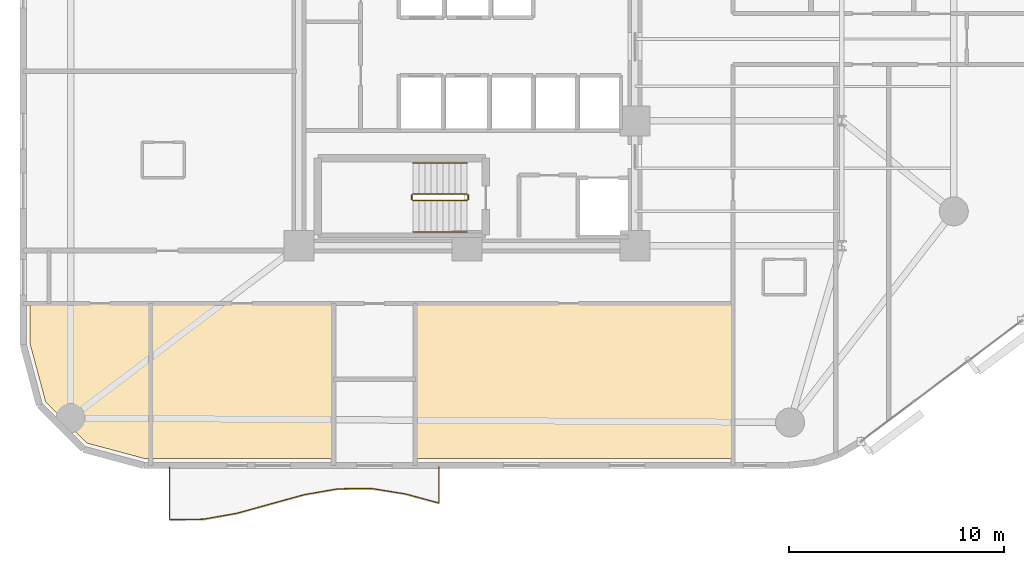
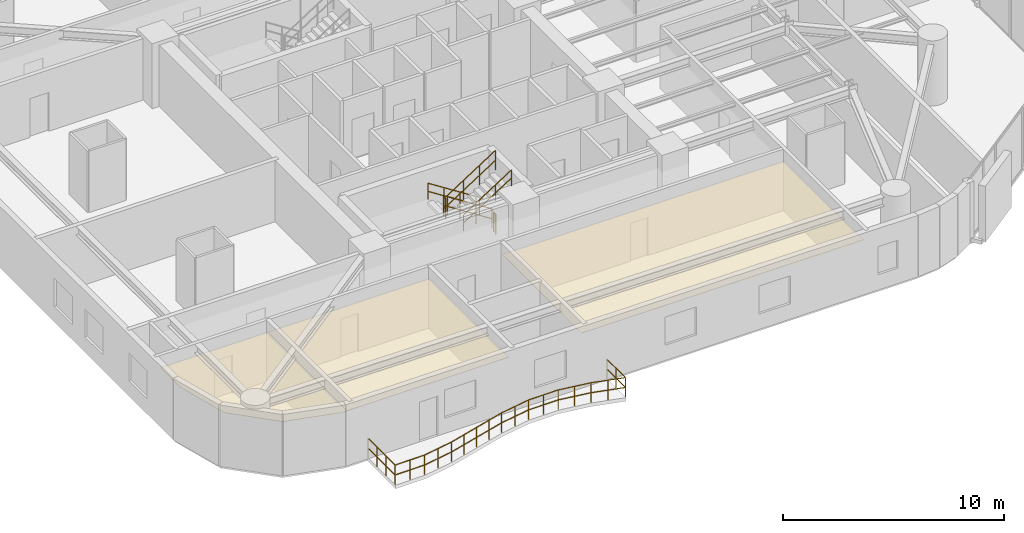
# One storey, part 14 of 16: 7 railings, 3 coverings.
"""IFC4 building model written with IfcOpenShell, lengths in metres."""

import ifcopenshell
import ifcopenshell.guid

model = None  # the IFC model being written
_history = None  # IfcOwnerHistory: only IFC2X3 demands one
_inside = {}  # id of a spatial element -> (the spatial element, [elements in it])
_under = {}  # id of a project, library or spatial element -> (it, [spatial elements below it])
_declared = {}  # id of a project -> (the project, [libraries it declares])
_typed = {}  # id of a type object -> (the type object, [elements of that type])
_made_of = {}  # id of a material, layer set ... -> (it, [elements and type objects made of it])


def new_model(schema):
    """Start an empty IFC model of exactly this schema.

    Asked for "IFC4X3", IfcOpenShell would pick the latest addendum, in which some entities
    have other attributes; the version numbers below select the first issue.
    IFC2X3 requires an IfcOwnerHistory on every rooted entity: one is made here for all.
    """
    global model, _history
    if schema == "IFC4X3":
        model = ifcopenshell.file(schema_version=(4, 3, 0, 0))
    else:
        model = ifcopenshell.file(schema=schema)
    _inside.clear()
    _under.clear()
    _declared.clear()
    _typed.clear()
    _made_of.clear()
    _history = None
    if model.schema == "IFC2X3":
        org = make("IfcOrganization", Name="unknown")
        user = make(
            "IfcPersonAndOrganization",
            ThePerson=make("IfcPerson", FamilyName="unknown"),
            TheOrganization=org,
        )
        app = make(
            "IfcApplication",
            ApplicationDeveloper=org,
            Version="unknown",
            ApplicationFullName="unknown",
            ApplicationIdentifier="unknown",
        )
        _history = make(
            "IfcOwnerHistory",
            OwningUser=user,
            OwningApplication=app,
            ChangeAction="ADDED",
            CreationDate=0,
        )
    return model


def make(cls, **values):
    """One entity of the class cls with the attributes given. An attribute that is None is left unset."""
    return model.create_entity(
        cls, **{name: value for name, value in values.items() if value is not None}
    )


def rooted(cls, **values):
    """An entity with a GlobalId (a new one), such as an element, a storey or a relation."""
    return make(cls, GlobalId=ifcopenshell.guid.new(), OwnerHistory=_history, **values)


def si_unit(unit_type, name, prefix=None):
    """IfcSIUnit, for example si_unit("LENGTHUNIT", "METRE", prefix="MILLI")."""
    return make("IfcSIUnit", UnitType=unit_type, Prefix=prefix, Name=name)


def assignment(units):
    """IfcUnitAssignment: the units of a project."""
    return None if units is None else make("IfcUnitAssignment", Units=units)


def point(xyz):
    """IfcCartesianPoint."""
    return None if xyz is None else make("IfcCartesianPoint", Coordinates=xyz)


def direction(xyz):
    """IfcDirection."""
    return None if xyz is None else make("IfcDirection", DirectionRatios=xyz)


def frame(location, z_axis=None, x_axis=None):
    """IfcAxis2Placement3D, a coordinate frame: its origin and axes. An axis left out is left unset."""
    return make(
        "IfcAxis2Placement3D",
        Location=point(location),
        Axis=direction(z_axis),
        RefDirection=direction(x_axis),
    )


def frame_2d(location, x_axis=None):
    """IfcAxis2Placement2D, a coordinate frame in the plane: its origin and x axis."""
    return make(
        "IfcAxis2Placement2D", Location=point(location), RefDirection=direction(x_axis)
    )


def origin():
    """The frame at (0, 0, 0) with its axes left unset."""
    return frame((0.0, 0.0, 0.0))


def origin_2d():
    """The frame at (0, 0) in the plane with its x axis left unset."""
    return frame_2d((0.0, 0.0))


def place(relative_to, where):
    """IfcLocalPlacement: puts the frame where relative to a parent placement (None: the world)."""
    return make(
        "IfcLocalPlacement", PlacementRelTo=relative_to, RelativePlacement=where
    )


def context(
    kind, dimensions, precision=None, world=None, true_north=None, identifier=None
):
    """IfcGeometricRepresentationContext, for example the 3D "Model" context."""
    return make(
        "IfcGeometricRepresentationContext",
        ContextIdentifier=identifier,
        ContextType=kind,
        CoordinateSpaceDimension=dimensions,
        Precision=precision,
        WorldCoordinateSystem=world,
        TrueNorth=true_north,
    )


def subcontext(parent, identifier, kind, view, scale=None):
    """IfcGeometricRepresentationSubContext, for example "Body" below "Model"."""
    return make(
        "IfcGeometricRepresentationSubContext",
        ContextIdentifier=identifier,
        ContextType=kind,
        ParentContext=parent,
        TargetScale=scale,
        TargetView=view,
    )


def project(units=None, contexts=None):
    """IfcProject with its units and contexts."""
    return rooted(
        "IfcProject",
        Name="project",
        RepresentationContexts=contexts,
        UnitsInContext=assignment(units),
    )


def spatial(cls, under=None, at=None, **own):
    """A site, building, storey or space (cls), placed at a placement, below another one or the project."""
    s = rooted(cls, ObjectPlacement=at, **own)
    if under is not None:
        _under.setdefault(under.id(), (under, []))[1].append(s)
    return s


def polyline(points):
    """IfcPolyline through the points."""
    return make("IfcPolyline", Points=[point(p) for p in points])


def profile(cls, at=None, kind="AREA", **sizes):
    """A parametric profile (cls). Its sizes go by their IFC names, for example OverallWidth=200.0."""
    return make(cls, ProfileType=kind, Position=at, **sizes)


def circle(**sizes):
    """IfcCircleProfileDef."""
    return profile("IfcCircleProfileDef", **sizes)


def outline(outer, holes=None, kind="AREA"):
    """IfcArbitraryClosedProfileDef: a profile drawn as a closed curve; with holes, ...WithVoids."""
    if holes is None:
        return make("IfcArbitraryClosedProfileDef", ProfileType=kind, OuterCurve=outer)
    return make(
        "IfcArbitraryProfileDefWithVoids",
        ProfileType=kind,
        OuterCurve=outer,
        InnerCurves=holes,
    )


def extrude(swept, where, along, depth):
    """IfcExtrudedAreaSolid: the profile swept, set in the frame where, extruded along a direction by depth."""
    return make(
        "IfcExtrudedAreaSolid",
        SweptArea=swept,
        Position=where,
        ExtrudedDirection=direction(along),
        Depth=depth,
    )


def shape(context_of_items, identifier, shape_type, items):
    """IfcShapeRepresentation: the items that make up one representation, for example the "Body"."""
    return make(
        "IfcShapeRepresentation",
        ContextOfItems=context_of_items,
        RepresentationIdentifier=identifier,
        RepresentationType=shape_type,
        Items=items,
    )


def material(Name=None, Category=None):
    """IfcMaterial."""
    return make("IfcMaterial", Name=Name, Category=Category)


def layer(
    of_material, thickness, ventilated=None, Name=None, Category=None, Priority=None
):
    """IfcMaterialLayer: one layer of a wall or slab, of a material (None: an air gap)."""
    return make(
        "IfcMaterialLayer",
        Material=of_material,
        LayerThickness=thickness,
        IsVentilated=ventilated,
        Name=Name,
        Category=Category,
        Priority=Priority,
    )


def layer_set(layers, Name=None):
    """IfcMaterialLayerSet."""
    return make("IfcMaterialLayerSet", MaterialLayers=layers, LayerSetName=Name)


def made_of(thing, what):
    """Note that an element or type object is made of a material, layer set ...; save() writes the relation."""
    if what is not None:
        _made_of.setdefault(what.id(), (what, []))[1].append(thing)
    return thing


def type_object(cls, material=None, **own):
    """A type object (cls), such as IfcWallType, which elements share."""
    return made_of(rooted(cls, **own), material)


def element(
    cls,
    number,
    at=None,
    inside=None,
    cuts=None,
    type_object=None,
    material=None,
    context=None,
    identifier="Body",
    shape_type=None,
    held_by="IfcProductDefinitionShape",
    body=None,
    shapes=None,
    **own,
):
    """One element of the class cls, such as IfcWall. Its Tag is "e" and its number.

    at: its placement. inside: the storey or other place that contains it. cuts: it is an
    opening in that element (IfcRelVoidsElement). A single representation is given by context,
    identifier, shape_type and body (its items); several are given by shapes. held_by: the class
    of the entity that holds the representations. save() writes the other relations.
    """
    e = rooted(cls, Tag="e%d" % number, ObjectPlacement=at, **own)
    if body is not None:
        shapes = [shape(context, identifier, shape_type, body)]
    if shapes is not None:
        e.Representation = make(held_by, Representations=shapes)
    if inside is not None:
        _inside.setdefault(inside.id(), (inside, []))[1].append(e)
    if cuts is not None:
        rooted(
            "IfcRelVoidsElement", RelatingBuildingElement=cuts, RelatedOpeningElement=e
        )
    if type_object is not None:
        _typed.setdefault(type_object.id(), (type_object, []))[1].append(e)
    return made_of(e, material)


def aggregate(whole, parts):
    """IfcRelAggregates: a whole, such as a stair, and the parts it consists of."""
    return rooted("IfcRelAggregates", RelatingObject=whole, RelatedObjects=parts)


def save(model, path):
    """Write the relations noted so far, then the file.

    IfcRelAggregates (storeys below a building ...), IfcRelContainedInSpatialStructure (elements
    in a storey), IfcRelDefinesByType, IfcRelAssociatesMaterial and IfcRelDeclares: one each for
    every whole, place, type object, material and project.
    """
    for whole, parts in _under.values():
        aggregate(whole, parts)
    for where, things in _inside.values():
        rooted(
            "IfcRelContainedInSpatialStructure",
            RelatedElements=things,
            RelatingStructure=where,
        )
    for kind, things in _typed.values():
        rooted("IfcRelDefinesByType", RelatedObjects=things, RelatingType=kind)
    for what, things in _made_of.values():
        rooted("IfcRelAssociatesMaterial", RelatedObjects=things, RelatingMaterial=what)
    for by, libraries in _declared.values():
        rooted("IfcRelDeclares", RelatingContext=by, RelatedDefinitions=libraries)
    model.write(path)


model = new_model("IFC4")

# Units and contexts
model_context = context("Model", 3, precision=1e-05, world=origin(), true_north=direction((0.0, 1.0)))
body_context = subcontext(model_context, "Body", "Model", "MODEL_VIEW")
ifc_project = project(units=[si_unit("LENGTHUNIT", "METRE"), si_unit("AREAUNIT", "SQUARE_METRE"), si_unit("VOLUMEUNIT", "CUBIC_METRE"), si_unit("PLANEANGLEUNIT", "RADIAN"), si_unit("MASSUNIT", "GRAM", prefix="KILO")], contexts=[model_context])

# Site, building, storey
site_placement = place(None, origin())
site = spatial("IfcSite", under=ifc_project, at=site_placement, CompositionType="ELEMENT")
building_placement = place(site_placement, origin())
building = spatial("IfcBuilding", under=site, at=building_placement, Name="An Khanh Terracotta Commons", CompositionType="ELEMENT")
storey_placement = place(building_placement, frame((0.0, 0.0, 97.10009765625)))
storey = spatial("IfcBuildingStorey", under=building, at=storey_placement, Name="L25", CompositionType="ELEMENT", Elevation=97.10009765625)

# Coverings
ifc_material_1 = material(Name="Perforated Mineral-Fibre Acoustic Tile")
ifc_layer = layer(ifc_material_1, 0.02001953125, Name="Perforated Mineral-Fibre Acoustic Tile")
ifc_layer_set = layer_set([ifc_layer], Name="Perforated Mineral-Fibre Acoustic Tile")
covering_type = type_object("IfcCoveringType", Name="CEIL-ACOUSTIC-18", PredefinedType="CEILING", material=ifc_layer_set)
covering_1_placement = place(storey_placement, frame((0.0, 0.0, 2.64990234375)))
element("IfcCovering", 1, at=covering_1_placement, inside=storey, type_object=covering_type, Name="L25 Academic Seminar Room Ceiling", PredefinedType="CEILING", context=body_context, shape_type="SweptSolid", body=[
    extrude(outline(polyline([(14.44189453125, 4.52001953125), (11.76611328125, 5.237060546875), (9.8369140625, 7.166015625), (9.1201171875, 9.842041015625), (9.1201171875, 11.719970703125), (10.0, 11.719970703125), (14.721923828125, 11.719970703125), (14.721923828125, 4.52001953125), (14.44189453125, 4.52001953125)])), origin(), (0.0, 0.0, 1.0), 0.02001953125),
])
covering_2_placement = place(storey_placement, frame((0.0, 0.0, 2.64990234375)))
element("IfcCovering", 2, at=covering_2_placement, inside=storey, type_object=covering_type, Name="L25 Academic Seminar Room Ceiling", PredefinedType="CEILING", context=body_context, shape_type="SweptSolid", body=[
    extrude(outline(polyline([(14.721923828125, 4.52001953125), (14.721923828125, 11.719970703125), (23.199951171875, 11.719970703125), (23.199951171875, 8.199951171875), (23.199951171875, 4.52001953125), (14.721923828125, 4.52001953125)])), origin(), (0.0, 0.0, 1.0), 0.02001953125),
])
covering_3_placement = place(storey_placement, frame((0.0, 0.0, 2.64990234375)))
element("IfcCovering", 3, at=covering_3_placement, inside=storey, type_object=covering_type, Name="L25 Academic Seminar Room Ceiling", PredefinedType="CEILING", context=body_context, shape_type="SweptSolid", body=[
    extrude(outline(polyline([(27.0, 4.52001953125), (27.0, 8.199951171875), (27.0, 11.719970703125), (37.5, 11.719970703125), (41.75, 11.719970703125), (41.75, 4.52001953125), (27.0, 4.52001953125)])), origin(), (0.0, 0.0, 1.0), 0.02001953125),
])

# Railings
ifc_material_2 = material(Name="Brushed Stainless Steel 316", Category="steel")
railing_type_1 = type_object("IfcRailingType", Name="RAIL-BALUSTRADE-1100", PredefinedType="BALUSTRADE", material=ifc_material_2)
railing_1_placement = place(storey_placement, frame((15.60009765625, 4.139892578125, 0.0)))
element("IfcRailing", 4, at=railing_1_placement, inside=storey, type_object=railing_type_1, Name="L25 S Wave Balcony Guard Balustrade", PredefinedType="BALUSTRADE", context=body_context, shape_type="SweptSolid", body=[
    extrude(circle(Radius=0.02392578125, at=origin_2d()), frame((0.0, 0.0, 1.076171875), z_axis=(0.0, -1.0, 0.0), x_axis=(1.0, 0.0, 0.0)), (0.0, 0.0, 1.0), 2.453857421875),
    extrude(circle(Radius=0.02392578125, at=origin_2d()), frame((0.0, 0.0, 0.52587890625), z_axis=(0.0, -1.0, 0.0), x_axis=(1.0, 0.0, 0.0)), (0.0, 0.0, 1.0), 2.453857421875),
    extrude(circle(Radius=0.02392578125, at=origin_2d()), frame((0.0, -2.453857421875, 1.076171875), z_axis=(0.99991798129, 0.012807446808, 0.0), x_axis=(-0.012807446808, 0.99991798129, 0.0)), (0.0, 0.0, 1.0), 1.563232421875),
    extrude(circle(Radius=0.02392578125, at=origin_2d()), frame((0.0, -2.453857421875, 0.52587890625), z_axis=(0.99991798129, 0.012807446808, 0.0), x_axis=(-0.012807446808, 0.99991798129, 0.0)), (0.0, 0.0, 1.0), 1.563232421875),
    extrude(circle(Radius=0.02392578125, at=origin_2d()), frame((1.56298828125, -2.433837890625, 1.076171875), z_axis=(0.984653138928, 0.174522766418, 0.0), x_axis=(-0.174522766418, 0.984653138928, 0.0)), (0.0, 0.0, 1.0), 1.58642578125),
    extrude(circle(Radius=0.02392578125, at=origin_2d()), frame((1.56298828125, -2.433837890625, 0.52587890625), z_axis=(0.984653138928, 0.174522766418, 0.0), x_axis=(-0.174522766418, 0.984653138928, 0.0)), (0.0, 0.0, 1.0), 1.58642578125),
    extrude(circle(Radius=0.02392578125, at=origin_2d()), frame((3.125, -2.156982421875, 1.076171875), z_axis=(0.963685932128, 0.26703824486, 0.0), x_axis=(-0.26703824486, 0.963685932128, 0.0)), (0.0, 0.0, 1.0), 1.621826171875),
    extrude(circle(Radius=0.02392578125, at=origin_2d()), frame((3.125, -2.156982421875, 0.52587890625), z_axis=(0.963685932128, 0.26703824486, 0.0), x_axis=(-0.26703824486, 0.963685932128, 0.0)), (0.0, 0.0, 1.0), 1.621826171875),
    extrude(circle(Radius=0.02392578125, at=origin_2d()), frame((4.68798828125, -1.723876953125, 1.076171875), z_axis=(0.963991286298, 0.265933826245, 0.0), x_axis=(-0.265933826245, 0.963991286298, 0.0)), (0.0, 0.0, 1.0), 1.620361328125),
    extrude(circle(Radius=0.02392578125, at=origin_2d()), frame((4.68798828125, -1.723876953125, 0.52587890625), z_axis=(0.963991286298, 0.265933826245, 0.0), x_axis=(-0.265933826245, 0.963991286298, 0.0)), (0.0, 0.0, 1.0), 1.620361328125),
    extrude(circle(Radius=0.02392578125, at=origin_2d()), frame((6.25, -1.29296875, 1.076171875), z_axis=(0.985299731639, 0.170834536414, 0.0), x_axis=(-0.170834536414, 0.985299731639, 0.0)), (0.0, 0.0, 1.0), 1.58642578125),
    extrude(circle(Radius=0.02392578125, at=origin_2d()), frame((6.25, -1.29296875, 0.52587890625), z_axis=(0.985299731639, 0.170834536414, 0.0), x_axis=(-0.170834536414, 0.985299731639, 0.0)), (0.0, 0.0, 1.0), 1.58642578125),
    extrude(circle(Radius=0.02392578125, at=origin_2d()), frame((7.81298828125, -1.02197265625, 1.076171875), z_axis=(0.999964383942, 0.008439836939, 0.0), x_axis=(-0.008439836939, 0.999964383942, 0.0)), (0.0, 0.0, 1.0), 1.56201171875),
    extrude(circle(Radius=0.02392578125, at=origin_2d()), frame((7.81298828125, -1.02197265625, 0.52587890625), z_axis=(0.999964383942, 0.008439836939, 0.0), x_axis=(-0.008439836939, 0.999964383942, 0.0)), (0.0, 0.0, 1.0), 1.56201171875),
    extrude(circle(Radius=0.02392578125, at=origin_2d()), frame((9.375, -1.0087890625, 1.076171875), z_axis=(0.987448330743, -0.157942375926, 0.0), x_axis=(0.157942375926, 0.987448330743, 0.0)), (0.0, 0.0, 1.0), 1.582763671875),
    extrude(circle(Radius=0.02392578125, at=origin_2d()), frame((9.375, -1.0087890625, 0.52587890625), z_axis=(0.987448330743, -0.157942375926, 0.0), x_axis=(0.157942375926, 0.987448330743, 0.0)), (0.0, 0.0, 1.0), 1.582763671875),
    extrude(circle(Radius=0.02392578125, at=origin_2d()), frame((10.93798828125, -1.2587890625, 1.076171875), z_axis=(0.965370582615, -0.260882422217, 0.0), x_axis=(0.260882422217, 0.965370582615, 0.0)), (0.0, 0.0, 1.0), 1.6181640625),
    extrude(circle(Radius=0.02392578125, at=origin_2d()), frame((10.93798828125, -1.2587890625, 0.52587890625), z_axis=(0.965370582615, -0.260882422217, 0.0), x_axis=(0.260882422217, 0.965370582615, 0.0)), (0.0, 0.0, 1.0), 1.6181640625),
    extrude(circle(Radius=0.02392578125, at=origin_2d()), frame((12.5, -1.680908203125, 1.076171875), z_axis=(0.0, 1.0, 0.0), x_axis=(-1.0, 0.0, 0.0)), (0.0, 0.0, 1.0), 1.680908203125),
    extrude(circle(Radius=0.02392578125, at=origin_2d()), frame((12.5, -1.680908203125, 0.52587890625), z_axis=(0.0, 1.0, 0.0), x_axis=(-1.0, 0.0, 0.0)), (0.0, 0.0, 1.0), 1.680908203125),
    extrude(circle(Radius=0.02099609375, at=origin_2d()), origin(), (0.0, 0.0, 1.0), 1.052001953125),
    extrude(circle(Radius=0.02099609375, at=origin_2d()), frame((0.0, -0.81787109375, 0.0)), (0.0, 0.0, 1.0), 1.052001953125),
    extrude(circle(Radius=0.02099609375, at=origin_2d()), frame((0.0, -1.635986328125, 0.0)), (0.0, 0.0, 1.0), 1.052001953125),
    extrude(circle(Radius=0.02099609375, at=origin_2d()), frame((0.0, -2.453857421875, 0.0)), (0.0, 0.0, 1.0), 1.052001953125),
    extrude(circle(Radius=0.02099609375, at=origin_2d()), frame((0.781494140625, -2.44384765625, 0.0)), (0.0, 0.0, 1.0), 1.052001953125),
    extrude(circle(Radius=0.02099609375, at=origin_2d()), frame((1.56298828125, -2.433837890625, 0.0)), (0.0, 0.0, 1.0), 1.052001953125),
    extrude(circle(Radius=0.02099609375, at=origin_2d()), frame((2.343994140625, -2.29541015625, 0.0)), (0.0, 0.0, 1.0), 1.052001953125),
    extrude(circle(Radius=0.02099609375, at=origin_2d()), frame((3.125, -2.156982421875, 0.0)), (0.0, 0.0, 1.0), 1.052001953125),
    extrude(circle(Radius=0.02099609375, at=origin_2d()), frame((3.906494140625, -1.9404296875, 0.0)), (0.0, 0.0, 1.0), 1.052001953125),
    extrude(circle(Radius=0.02099609375, at=origin_2d()), frame((4.68798828125, -1.723876953125, 0.0)), (0.0, 0.0, 1.0), 1.052001953125),
    extrude(circle(Radius=0.02099609375, at=origin_2d()), frame((5.468994140625, -1.50830078125, 0.0)), (0.0, 0.0, 1.0), 1.052001953125),
    extrude(circle(Radius=0.02099609375, at=origin_2d()), frame((6.25, -1.29296875, 0.0)), (0.0, 0.0, 1.0), 1.052001953125),
    extrude(circle(Radius=0.02099609375, at=origin_2d()), frame((7.031494140625, -1.157470703125, 0.0)), (0.0, 0.0, 1.0), 1.052001953125),
    extrude(circle(Radius=0.02099609375, at=origin_2d()), frame((7.81298828125, -1.02197265625, 0.0)), (0.0, 0.0, 1.0), 1.052001953125),
    extrude(circle(Radius=0.02099609375, at=origin_2d()), frame((8.593994140625, -1.015380859375, 0.0)), (0.0, 0.0, 1.0), 1.052001953125),
    extrude(circle(Radius=0.02099609375, at=origin_2d()), frame((9.375, -1.0087890625, 0.0)), (0.0, 0.0, 1.0), 1.052001953125),
    extrude(circle(Radius=0.02099609375, at=origin_2d()), frame((10.156494140625, -1.1337890625, 0.0)), (0.0, 0.0, 1.0), 1.052001953125),
    extrude(circle(Radius=0.02099609375, at=origin_2d()), frame((10.93798828125, -1.2587890625, 0.0)), (0.0, 0.0, 1.0), 1.052001953125),
    extrude(circle(Radius=0.02099609375, at=origin_2d()), frame((11.718994140625, -1.4697265625, 0.0)), (0.0, 0.0, 1.0), 1.052001953125),
    extrude(circle(Radius=0.02099609375, at=origin_2d()), frame((12.5, -1.680908203125, 0.0)), (0.0, 0.0, 1.0), 1.052001953125),
    extrude(circle(Radius=0.02099609375, at=origin_2d()), frame((12.5, -0.84033203125, 0.0)), (0.0, 0.0, 1.0), 1.052001953125),
    extrude(circle(Radius=0.02099609375, at=origin_2d()), frame((12.5, 0.0, 0.0)), (0.0, 0.0, 1.0), 1.052001953125),
])
railing_type_2 = type_object("IfcRailingType", Name="RAIL-HANDRAIL-900", PredefinedType="HANDRAIL", material=ifc_material_2)
railing_2_placement = place(storey_placement, frame((29.409912109375, 18.25, 0.179931640625)))
element("IfcRailing", 5, at=railing_2_placement, inside=storey, type_object=railing_type_2, Name="L25 ST-02 stair handrail 1", PredefinedType="HANDRAIL", context=body_context, shape_type="SweptSolid", body=[
    extrude(circle(Radius=0.02392578125, at=origin_2d()), frame((0.0, 0.0, 0.8759765625), z_axis=(-0.841199657755, 0.0, 0.540724639528), x_axis=(0.0, -1.0, 0.0)), (0.0, 0.0, 1.0), 2.995849609375),
    extrude(circle(Radius=0.02392578125, at=origin_2d()), frame((0.0, 0.0, 0.42578125), z_axis=(-0.841199657755, 0.0, 0.540724639528), x_axis=(0.0, -1.0, 0.0)), (0.0, 0.0, 1.0), 2.995849609375),
    extrude(circle(Radius=0.02099609375, at=origin_2d()), origin(), (0.0, 0.0, 1.0), 0.851806640625),
    extrude(circle(Radius=0.02099609375, at=origin_2d()), frame((-0.840087890625, 0.0, 0.5400390625)), (0.0, 0.0, 1.0), 0.851806640625),
    extrude(circle(Radius=0.02099609375, at=origin_2d()), frame((-1.679931640625, 0.0, 1.079833984375)), (0.0, 0.0, 1.0), 0.851806640625),
    extrude(circle(Radius=0.02099609375, at=origin_2d()), frame((-2.52001953125, 0.0, 1.619873046875)), (0.0, 0.0, 1.0), 0.851806640625),
])
railing_3_placement = place(storey_placement, frame((26.889892578125, 15.050048828125, 1.97998046875)))
element("IfcRailing", 6, at=railing_3_placement, inside=storey, type_object=railing_type_2, Name="L25 ST-02 stair handrail 2", PredefinedType="HANDRAIL", context=body_context, shape_type="SweptSolid", body=[
    extrude(circle(Radius=0.02392578125, at=origin_2d()), frame((0.0, 0.0, 0.8759765625), z_axis=(0.841199657755, 0.0, 0.540724639528), x_axis=(0.0, 1.0, 0.0)), (0.0, 0.0, 1.0), 2.995849609375),
    extrude(circle(Radius=0.02392578125, at=origin_2d()), frame((0.0, 0.0, 0.42578125), z_axis=(0.841199657755, 0.0, 0.540724639528), x_axis=(0.0, 1.0, 0.0)), (0.0, 0.0, 1.0), 2.995849609375),
    extrude(circle(Radius=0.02099609375, at=origin_2d()), origin(), (0.0, 0.0, 1.0), 0.851806640625),
    extrude(circle(Radius=0.02099609375, at=origin_2d()), frame((0.840087890625, 0.0, 0.5400390625)), (0.0, 0.0, 1.0), 0.851806640625),
    extrude(circle(Radius=0.02099609375, at=origin_2d()), frame((1.679931640625, 0.0, 1.079833984375)), (0.0, 0.0, 1.0), 0.851806640625),
    extrude(circle(Radius=0.02099609375, at=origin_2d()), frame((2.52001953125, 0.0, 1.619873046875)), (0.0, 0.0, 1.0), 0.851806640625),
])
ifc_material_3 = material(Name="Powder-Coated Steel S355J2", Category="steel")
railing_type_3 = type_object("IfcRailingType", Name="RAIL-STAIR-GUARD-1100", PredefinedType="BALUSTRADE", material=ifc_material_3)
railing_4_placement = place(storey_placement, frame((29.409912109375, 16.800048828125, 0.179931640625)))
element("IfcRailing", 7, at=railing_4_placement, inside=storey, type_object=railing_type_3, Name="L25 ST-02 stair guard 1", PredefinedType="BALUSTRADE", context=body_context, shape_type="SweptSolid", body=[
    extrude(circle(Radius=0.02392578125, at=origin_2d()), frame((0.0, 0.0, 1.076171875), z_axis=(-0.841199657755, 0.0, 0.540724639528), x_axis=(0.0, -1.0, 0.0)), (0.0, 0.0, 1.0), 2.995849609375),
    extrude(circle(Radius=0.02392578125, at=origin_2d()), frame((0.0, 0.0, 0.52587890625), z_axis=(-0.841199657755, 0.0, 0.540724639528), x_axis=(0.0, -1.0, 0.0)), (0.0, 0.0, 1.0), 2.995849609375),
    extrude(circle(Radius=0.02099609375, at=origin_2d()), origin(), (0.0, 0.0, 1.0), 1.052001953125),
    extrude(circle(Radius=0.02099609375, at=origin_2d()), frame((-0.840087890625, 0.0, 0.5400390625)), (0.0, 0.0, 1.0), 1.052001953125),
    extrude(circle(Radius=0.02099609375, at=origin_2d()), frame((-1.679931640625, 0.0, 1.079833984375)), (0.0, 0.0, 1.0), 1.052001953125),
    extrude(circle(Radius=0.02099609375, at=origin_2d()), frame((-2.52001953125, 0.0, 1.619873046875)), (0.0, 0.0, 1.0), 1.052001953125),
])
railing_5_placement = place(storey_placement, frame((26.840087890625, 16.75, 1.7998046875)))
element("IfcRailing", 8, at=railing_5_placement, inside=storey, type_object=railing_type_3, Name="L25 ST-02 stair guard 2", PredefinedType="BALUSTRADE", context=body_context, shape_type="SweptSolid", body=[
    extrude(circle(Radius=0.02392578125, at=origin_2d()), frame((0.0, 0.0, 1.076171875), z_axis=(0.0, -1.0, 0.0), x_axis=(1.0, 0.0, 0.0)), (0.0, 0.0, 1.0), 0.199951171875),
    extrude(circle(Radius=0.02392578125, at=origin_2d()), frame((0.0, 0.0, 0.52587890625), z_axis=(0.0, -1.0, 0.0), x_axis=(1.0, 0.0, 0.0)), (0.0, 0.0, 1.0), 0.199951171875),
    extrude(circle(Radius=0.02099609375, at=origin_2d()), origin(), (0.0, 0.0, 1.0), 1.052001953125),
    extrude(circle(Radius=0.02099609375, at=origin_2d()), frame((0.0, -0.199951171875, 0.0)), (0.0, 0.0, 1.0), 1.052001953125),
])
railing_6_placement = place(storey_placement, frame((26.889892578125, 16.5, 1.97998046875)))
element("IfcRailing", 9, at=railing_6_placement, inside=storey, type_object=railing_type_3, Name="L25 ST-02 stair guard 3", PredefinedType="BALUSTRADE", context=body_context, shape_type="SweptSolid", body=[
    extrude(circle(Radius=0.02392578125, at=origin_2d()), frame((0.0, 0.0, 1.076171875), z_axis=(0.841199657755, 0.0, 0.540724639528), x_axis=(0.0, 1.0, 0.0)), (0.0, 0.0, 1.0), 2.995849609375),
    extrude(circle(Radius=0.02392578125, at=origin_2d()), frame((0.0, 0.0, 0.52587890625), z_axis=(0.841199657755, 0.0, 0.540724639528), x_axis=(0.0, 1.0, 0.0)), (0.0, 0.0, 1.0), 2.995849609375),
    extrude(circle(Radius=0.02099609375, at=origin_2d()), origin(), (0.0, 0.0, 1.0), 1.052001953125),
    extrude(circle(Radius=0.02099609375, at=origin_2d()), frame((0.840087890625, 0.0, 0.5400390625)), (0.0, 0.0, 1.0), 1.052001953125),
    extrude(circle(Radius=0.02099609375, at=origin_2d()), frame((1.679931640625, 0.0, 1.079833984375)), (0.0, 0.0, 1.0), 1.052001953125),
    extrude(circle(Radius=0.02099609375, at=origin_2d()), frame((2.52001953125, 0.0, 1.619873046875)), (0.0, 0.0, 1.0), 1.052001953125),
])
railing_7_placement = place(storey_placement, frame((29.4599609375, 16.75, 0.0)))
element("IfcRailing", 10, at=railing_7_placement, inside=storey, type_object=railing_type_3, Name="L25 ST-02 stair guard 4", PredefinedType="BALUSTRADE", context=body_context, shape_type="SweptSolid", body=[
    extrude(circle(Radius=0.02392578125, at=origin_2d()), frame((0.0, 0.0, 1.076171875), z_axis=(0.0, -1.0, 0.0), x_axis=(1.0, 0.0, 0.0)), (0.0, 0.0, 1.0), 0.199951171875),
    extrude(circle(Radius=0.02392578125, at=origin_2d()), frame((0.0, 0.0, 0.52587890625), z_axis=(0.0, -1.0, 0.0), x_axis=(1.0, 0.0, 0.0)), (0.0, 0.0, 1.0), 0.199951171875),
    extrude(circle(Radius=0.02099609375, at=origin_2d()), origin(), (0.0, 0.0, 1.0), 1.052001953125),
    extrude(circle(Radius=0.02099609375, at=origin_2d()), frame((0.0, -0.199951171875, 0.0)), (0.0, 0.0, 1.0), 1.052001953125),
])

save(model, "model.ifc")
